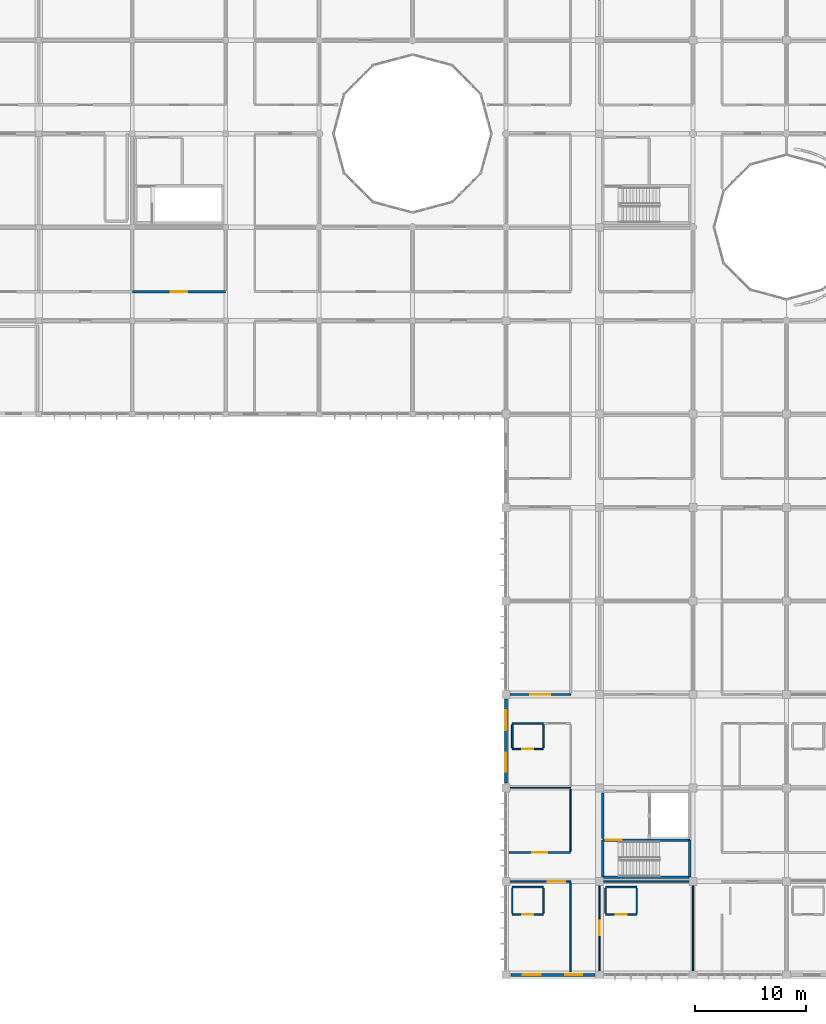
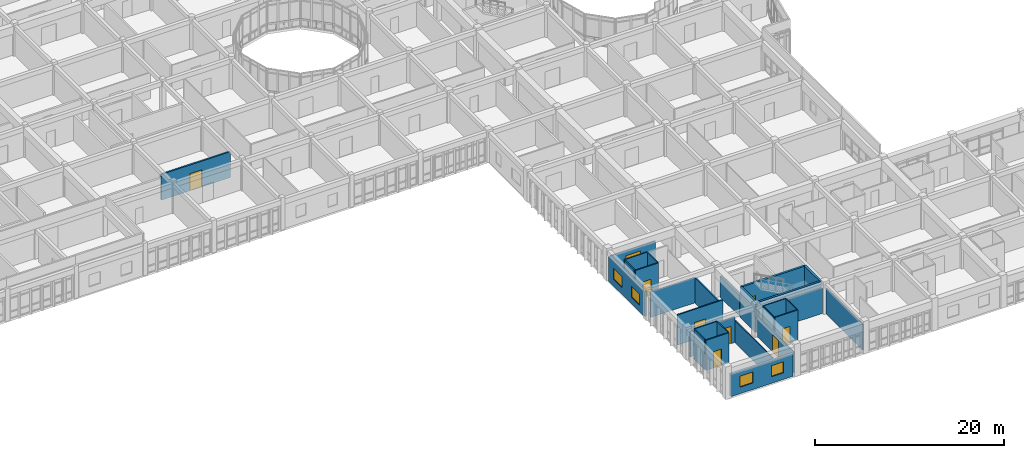
# One storey, part 78 of 119: 29 walls, 9 doors, 4 windows, 13 openings.
"""IFC4 building model written with IfcOpenShell, lengths in metres."""

from ifc_helpers import new_model, si_unit, direction, frame, frame_2d, origin, place, context, subcontext, project, spatial, rectangle, extrude, material, layer, layer_set, type_object, element, fill, save


model = new_model("IFC4")

# Units and contexts
model_context = context("Model", 3, precision=1e-05, world=origin(), true_north=direction((0.0, 1.0)))
body_context = subcontext(model_context, "Body", "Model", "MODEL_VIEW")
ifc_project = project(units=[si_unit("LENGTHUNIT", "METRE"), si_unit("AREAUNIT", "SQUARE_METRE"), si_unit("VOLUMEUNIT", "CUBIC_METRE"), si_unit("PLANEANGLEUNIT", "RADIAN"), si_unit("MASSUNIT", "GRAM", prefix="KILO")], contexts=[model_context])

# Site, building, storey
site_placement = place(None, origin())
site = spatial("IfcSite", under=ifc_project, at=site_placement, CompositionType="ELEMENT")
building_placement = place(site_placement, origin())
building = spatial("IfcBuilding", under=site, at=building_placement, Name="Bramfleet General Hospital", CompositionType="ELEMENT")
storey_placement = place(building_placement, frame((0.0, 0.0, 14.39990234375)))
storey = spatial("IfcBuildingStorey", under=building, at=storey_placement, Name="L03", CompositionType="ELEMENT", Elevation=14.39990234375)

# Wall, openings, windows
ifc_material_1 = material(Name="Precast concrete C40/50", Category="concrete")
ifc_layer_1 = layer(ifc_material_1, 0.280029296875, Name="WT-EW-06")
ifc_layer_set_1 = layer_set([ifc_layer_1], Name="Precast concrete C40/50")
wall_type_1 = type_object("IfcWallType", Name="WT-EW-06", PredefinedType="SOLIDWALL", material=ifc_layer_set_1)
wall_1_placement = place(storey_placement, frame((100.375, 0.0, 0.0), z_axis=(0.0, 0.0, 1.0), x_axis=(-1.0, 0.0, 0.0)))
wall_1 = element("IfcWall", 1, at=wall_1_placement, inside=storey, type_object=wall_type_1, Name="L03 Exterior Wall 270", PredefinedType="SOLIDWALL", context=body_context, shape_type="SweptSolid", body=[
    extrude(rectangle(XDim=7.550048828125, YDim=0.280029296875, at=frame_2d((3.77490234375, 0.0))), origin(), (0.0, 0.0, 1.0), 2.89013671875),
])
opening_1_placement = place(wall_1_placement, frame((1.137451171875, 0.0, 0.85009765625)))
opening_1 = element("IfcOpeningElement", 2, at=opening_1_placement, cuts=wall_1, Name="Opening W-16", PredefinedType="OPENING", context=body_context, shape_type="SweptSolid", body=[
    extrude(rectangle(XDim=1.5, YDim=1.419921875, at=frame_2d((0.75, 0.7099609375))), frame((0.0, 0.14990234375, 0.0), z_axis=(0.0, -1.0, 0.0), x_axis=(1.0, 0.0, 0.0)), (0.0, 0.0, 1.0), 0.300048828125),
])
opening_2_placement = place(wall_1_placement, frame((4.862548828125, 0.0, 0.85009765625)))
opening_2 = element("IfcOpeningElement", 3, at=opening_2_placement, cuts=wall_1, Name="Opening W-17", PredefinedType="OPENING", context=body_context, shape_type="SweptSolid", body=[
    extrude(rectangle(XDim=1.60009765625, YDim=1.419921875, at=frame_2d((0.800048828125, 0.7099609375))), frame((0.0, 0.14990234375, 0.0), z_axis=(0.0, -1.0, 0.0), x_axis=(1.0, 0.0, 0.0)), (0.0, 0.0, 1.0), 0.300048828125),
])
ifc_material_2 = material(Name="Anodised aluminium and low-E triple glazing", Category="aluminium")
window_type_1 = type_object("IfcWindowType", Name="WIN-W-16", PartitioningType="SINGLE_PANEL", PredefinedType="WINDOW", material=ifc_material_2)
window_1_placement = place(opening_1_placement, origin())
window_1 = element("IfcWindow", 4, at=window_1_placement, inside=storey, type_object=window_type_1, Name="L03 Facade Window WIN-L03-270-1", OverallHeight=1.419921875, OverallWidth=1.5, PartitioningType="SINGLE_PANEL", PredefinedType="WINDOW", context=body_context, shape_type="SweptSolid", body=[
    extrude(rectangle(XDim=1.5, YDim=1.419921875, at=frame_2d((0.75, 0.7099609375))), frame((0.0, 0.030029296875, 0.0), z_axis=(0.0, -1.0, 0.0), x_axis=(1.0, 0.0, 0.0)), (0.0, 0.0, 1.0), 0.06005859375),
])
fill(opening_1, window_1)
window_type_2 = type_object("IfcWindowType", Name="WIN-W-17", PartitioningType="SINGLE_PANEL", PredefinedType="WINDOW", material=ifc_material_2)
window_2_placement = place(opening_2_placement, origin())
window_2 = element("IfcWindow", 5, at=window_2_placement, inside=storey, type_object=window_type_2, Name="L03 Facade Window WIN-L03-270-2", OverallHeight=1.419921875, OverallWidth=1.60009765625, PartitioningType="SINGLE_PANEL", PredefinedType="WINDOW", context=body_context, shape_type="SweptSolid", body=[
    extrude(rectangle(XDim=1.60009765625, YDim=1.419921875, at=frame_2d((0.800048828125, 0.7099609375))), frame((0.0, 0.030029296875, 0.0), z_axis=(0.0, -1.0, 0.0), x_axis=(1.0, 0.0, 0.0)), (0.0, 0.0, 1.0), 0.06005859375),
])
fill(opening_2, window_2)

ifc_layer_2 = layer(ifc_material_1, 0.264892578125, Name="WT-EW-07")
ifc_layer_set_2 = layer_set([ifc_layer_2], Name="Precast concrete C40/50")
wall_type_2 = type_object("IfcWallType", Name="WT-EW-07", PredefinedType="SOLIDWALL", material=ifc_layer_set_2)
wall_2_placement = place(storey_placement, frame((92.39990234375, 17.22509765625, 0.0), z_axis=(0.0, 0.0, 1.0), x_axis=(0.0, 1.0, 0.0)))
wall_2 = element("IfcWall", 6, at=wall_2_placement, inside=storey, type_object=wall_type_2, Name="L03 Exterior Wall 271", PredefinedType="SOLIDWALL", context=body_context, shape_type="SweptSolid", body=[
    extrude(rectangle(XDim=7.5498046875, YDim=0.264892578125, at=frame_2d((3.77490234375, 0.0))), origin(), (0.0, 0.0, 1.0), 3.190185546875),
])
opening_3_placement = place(wall_2_placement, frame((1.03759765625, 0.0, 0.85009765625)))
opening_3 = element("IfcOpeningElement", 7, at=opening_3_placement, cuts=wall_2, Name="Opening W-18", PredefinedType="OPENING", context=body_context, shape_type="SweptSolid", body=[
    extrude(rectangle(XDim=1.699951171875, YDim=1.419921875, at=frame_2d((0.85009765625, 0.7099609375))), frame((0.0, 0.142333984375, 0.0), z_axis=(0.0, -1.0, 0.0), x_axis=(1.0, 0.0, 0.0)), (0.0, 0.0, 1.0), 0.284912109375),
])
opening_4_placement = place(wall_2_placement, frame((4.762451171875, 0.0, 0.85009765625)))
opening_4 = element("IfcOpeningElement", 8, at=opening_4_placement, cuts=wall_2, Name="Opening W-19", PredefinedType="OPENING", context=body_context, shape_type="SweptSolid", body=[
    extrude(rectangle(XDim=1.800048828125, YDim=1.419921875, at=frame_2d((0.89990234375, 0.7099609375))), frame((0.0, 0.142333984375, 0.0), z_axis=(0.0, -1.0, 0.0), x_axis=(1.0, 0.0, 0.0)), (0.0, 0.0, 1.0), 0.284912109375),
])
window_type_3 = type_object("IfcWindowType", Name="WIN-W-18", PartitioningType="SINGLE_PANEL", PredefinedType="WINDOW", material=ifc_material_2)
window_3_placement = place(opening_3_placement, origin())
window_3 = element("IfcWindow", 9, at=window_3_placement, inside=storey, type_object=window_type_3, Name="L03 Facade Window WIN-L03-271-1", OverallHeight=1.419921875, OverallWidth=1.699951171875, PartitioningType="SINGLE_PANEL", PredefinedType="WINDOW", context=body_context, shape_type="SweptSolid", body=[
    extrude(rectangle(XDim=1.699951171875, YDim=1.419921875, at=frame_2d((0.85009765625, 0.7099609375))), frame((0.0, 0.030029296875, 0.0), z_axis=(0.0, -1.0, 0.0), x_axis=(1.0, 0.0, 0.0)), (0.0, 0.0, 1.0), 0.06005859375),
])
fill(opening_3, window_3)
window_type_4 = type_object("IfcWindowType", Name="WIN-W-19", PartitioningType="SINGLE_PANEL", PredefinedType="WINDOW", material=ifc_material_2)
window_4_placement = place(opening_4_placement, origin())
window_4 = element("IfcWindow", 10, at=window_4_placement, inside=storey, type_object=window_type_4, Name="L03 Facade Window WIN-L03-271-2", OverallHeight=1.419921875, OverallWidth=1.800048828125, PartitioningType="SINGLE_PANEL", PredefinedType="WINDOW", context=body_context, shape_type="SweptSolid", body=[
    extrude(rectangle(XDim=1.800048828125, YDim=1.419921875, at=frame_2d((0.89990234375, 0.7099609375))), frame((0.0, 0.030029296875, 0.0), z_axis=(0.0, -1.0, 0.0), x_axis=(1.0, 0.0, 0.0)), (0.0, 0.0, 1.0), 0.06005859375),
])
fill(opening_4, window_4)

# Wall
ifc_material_3 = material(Name="Concrete C35/45", Category="concrete")
ifc_layer_3 = layer(ifc_material_3, 0.205078125, Name="WT-IW-02")
ifc_layer_set_3 = layer_set([ifc_layer_3], Name="Concrete C35/45")
wall_type_3 = type_object("IfcWallType", Name="WT-IW-02", PredefinedType="PARTITIONING", material=ifc_layer_set_3)
wall_3_placement = place(storey_placement, frame((101.10009765625, 12.239990234375, 0.0), z_axis=(0.0, 0.0, 1.0), x_axis=(0.0, 1.0, 0.0)))
element("IfcWall", 11, at=wall_3_placement, inside=storey, type_object=wall_type_3, Name="L03 C3 Lobby West Compartment Wall", PredefinedType="PARTITIONING", context=body_context, shape_type="SweptSolid", body=[
    extrude(rectangle(XDim=4.1201171875, YDim=0.205078125, at=frame_2d((2.06005859375, 0.0))), origin(), (0.0, 0.0, 1.0), 2.690185546875),
])

# Wall, opening, door
ifc_layer_4 = layer(ifc_material_3, 0.18994140625, Name="WT-IW-03")
ifc_layer_set_4 = layer_set([ifc_layer_4], Name="Concrete C35/45")
wall_type_4 = type_object("IfcWallType", Name="WT-IW-03", PredefinedType="PARTITIONING", material=ifc_layer_set_4)
wall_4_placement = place(storey_placement, frame((58.800048828125, 61.39990234375, 0.0), z_axis=(0.0, 0.0, 1.0), x_axis=(1.0, 0.0, 0.0)))
wall_4 = element("IfcWall", 12, at=wall_4_placement, inside=storey, type_object=wall_type_4, Name="L03 Interior Partition IW-L03-2559", PredefinedType="PARTITIONING", context=body_context, shape_type="SweptSolid", body=[
    extrude(rectangle(XDim=8.39990234375, YDim=0.18994140625, at=frame_2d((4.199951171875, 0.0))), origin(), (0.0, 0.0, 1.0), 3.330078125),
])
opening_5_placement = place(wall_4_placement, frame((3.47509765625, 0.0, 0.0)))
opening_5 = element("IfcOpeningElement", 13, at=opening_5_placement, cuts=wall_4, Name="Opening D1091", PredefinedType="OPENING", context=body_context, shape_type="SweptSolid", body=[
    extrude(rectangle(XDim=1.449951171875, YDim=2.199951171875, at=frame_2d((0.72509765625, 1.10009765625))), frame((0.0, 0.10498046875, 0.0), z_axis=(0.0, -1.0, 0.0), x_axis=(1.0, 0.0, 0.0)), (0.0, 0.0, 1.0), 0.2099609375),
])
ifc_material_4 = material(Name="Stainless steel and acoustic timber leaf", Category="steel")
door_type_1 = type_object("IfcDoorType", Name="DR-D-03", OperationType="NOTDEFINED", PredefinedType="DOOR", material=ifc_material_4)
door_1_placement = place(opening_5_placement, origin())
door_1 = element("IfcDoor", 14, at=door_1_placement, inside=storey, type_object=door_type_1, Name="Maternity Delivery Suite and Clinical Lab L03-0707 Door D1091", OperationType="SINGLE_SWING_RIGHT", OverallHeight=2.199951171875, OverallWidth=1.449951171875, PredefinedType="DOOR", context=body_context, shape_type="SweptSolid", body=[
    extrude(rectangle(XDim=1.449951171875, YDim=2.199951171875, at=frame_2d((0.72509765625, 1.10009765625))), frame((0.0, 0.02490234375, 0.0), z_axis=(0.0, -1.0, 0.0), x_axis=(1.0, 0.0, 0.0)), (0.0, 0.0, 1.0), 0.050048828125),
])
fill(opening_5, door_1)

ifc_material_5 = material(Name="Gypsum plasterboard on acoustic steel studs", Category="steel")
ifc_layer_5 = layer(ifc_material_5, 0.169921875, Name="WT-IW-05")
ifc_layer_set_5 = layer_set([ifc_layer_5], Name="Gypsum plasterboard on acoustic steel studs")
wall_type_5 = type_object("IfcWallType", Name="WT-IW-05", PredefinedType="PARTITIONING", material=ifc_layer_set_5)
wall_5_placement = place(storey_placement, frame((92.679931640625, 11.0, 0.0), z_axis=(0.0, 0.0, 1.0), x_axis=(1.0, 0.0, 0.0)))
wall_5 = element("IfcWall", 15, at=wall_5_placement, inside=storey, type_object=wall_type_5, Name="L03 Interior Partition IW-L03-2477", PredefinedType="PARTITIONING", context=body_context, shape_type="SweptSolid", body=[
    extrude(rectangle(XDim=5.52001953125, YDim=0.169921875, at=frame_2d((2.760009765625, 0.0))), origin(), (0.0, 0.0, 1.0), 3.89013671875),
])
opening_6_placement = place(wall_5_placement, frame((2.0849609375, 0.0, 0.0)))
opening_6 = element("IfcOpeningElement", 16, at=opening_6_placement, cuts=wall_5, Name="Opening D1122", PredefinedType="OPENING", context=body_context, shape_type="SweptSolid", body=[
    extrude(rectangle(XDim=1.35009765625, YDim=2.199951171875, at=frame_2d((0.675048828125, 1.10009765625))), frame((0.0, 0.094970703125, 0.0), z_axis=(0.0, -1.0, 0.0), x_axis=(1.0, 0.0, 0.0)), (0.0, 0.0, 1.0), 0.18994140625),
])
door_type_2 = type_object("IfcDoorType", Name="DR-D-02", OperationType="NOTDEFINED", PredefinedType="DOOR", material=ifc_material_4)
door_2_placement = place(opening_6_placement, origin())
door_2 = element("IfcDoor", 17, at=door_2_placement, inside=storey, type_object=door_type_2, Name="Paediatric Nurse Station and Play Lounge L03-1101 Door D1122", OperationType="SINGLE_SWING_LEFT", OverallHeight=2.199951171875, OverallWidth=1.35009765625, PredefinedType="DOOR", context=body_context, shape_type="SweptSolid", body=[
    extrude(rectangle(XDim=1.35009765625, YDim=2.199951171875, at=frame_2d((0.675048828125, 1.10009765625))), frame((0.0, 0.02490234375, 0.0), z_axis=(0.0, -1.0, 0.0), x_axis=(1.0, 0.0, 0.0)), (0.0, 0.0, 1.0), 0.050048828125),
])
fill(opening_6, door_2)

ifc_layer_6 = layer(ifc_material_5, 0.14990234375, Name="WT-IW-07")
ifc_layer_set_6 = layer_set([ifc_layer_6], Name="Gypsum plasterboard on acoustic steel studs")
wall_type_6 = type_object("IfcWallType", Name="WT-IW-07", PredefinedType="PARTITIONING", material=ifc_layer_set_6)
wall_6_placement = place(storey_placement, frame((92.7451171875, 25.199951171875, 0.0), z_axis=(0.0, 0.0, 1.0), x_axis=(1.0, 0.0, 0.0)))
wall_6 = element("IfcWall", 18, at=wall_6_placement, inside=storey, type_object=wall_type_6, Name="L03 Interior Partition IW-L03-2515", PredefinedType="PARTITIONING", context=body_context, shape_type="SweptSolid", body=[
    extrude(rectangle(XDim=5.454833984375, YDim=0.14990234375, at=frame_2d((2.7275390625, 0.0))), origin(), (0.0, 0.0, 1.0), 2.89013671875),
])
opening_7_placement = place(wall_6_placement, frame((1.827392578125, 0.0, 0.0)))
opening_7 = element("IfcOpeningElement", 19, at=opening_7_placement, cuts=wall_6, Name="Opening D1125", PredefinedType="OPENING", context=body_context, shape_type="SweptSolid", body=[
    extrude(rectangle(XDim=1.800048828125, YDim=2.25, at=frame_2d((0.89990234375, 1.125))), frame((0.0, 0.0849609375, 0.0), z_axis=(0.0, -1.0, 0.0), x_axis=(1.0, 0.0, 0.0)), (0.0, 0.0, 1.0), 0.169921875),
])
door_type_3 = type_object("IfcDoorType", Name="DR-D-05", OperationType="NOTDEFINED", PredefinedType="DOOR", material=ifc_material_4)
door_3_placement = place(opening_7_placement, origin())
door_3 = element("IfcDoor", 20, at=door_3_placement, inside=storey, type_object=door_type_3, Name="Maternity Delivery Suite and Clinical Lab L03-1103 Door D1125", OperationType="DOUBLE_SWING_RIGHT", OverallHeight=2.25, OverallWidth=1.800048828125, PredefinedType="DOOR", context=body_context, shape_type="SweptSolid", body=[
    extrude(rectangle(XDim=1.800048828125, YDim=2.25, at=frame_2d((0.89990234375, 1.125))), frame((0.0, 0.02490234375, 0.0), z_axis=(0.0, -1.0, 0.0), x_axis=(1.0, 0.0, 0.0)), (0.0, 0.0, 1.0), 0.050048828125),
])
fill(opening_7, door_3)

# Wall
wall_7_placement = place(storey_placement, frame((92.949951171875, 20.4150390625, 0.0), z_axis=(0.0, 0.0, 1.0), x_axis=(0.0, 1.0, 0.0)))
element("IfcWall", 21, at=wall_7_placement, inside=storey, type_object=wall_type_6, Name="L03 Interior Partition IW-L03-2923", PredefinedType="PARTITIONING", context=body_context, shape_type="SweptSolid", body=[
    extrude(rectangle(XDim=2.070068359375, YDim=0.14990234375, at=frame_2d((1.03515625, 0.0))), origin(), (0.0, 0.0, 1.0), 3.89013671875),
])

# Wall, opening, door
ifc_layer_7 = layer(ifc_material_5, 0.139892578125, Name="WT-IW-08")
ifc_layer_set_7 = layer_set([ifc_layer_7], Name="Gypsum plasterboard on acoustic steel studs")
wall_type_7 = type_object("IfcWallType", Name="WT-IW-08", PredefinedType="PARTITIONING", material=ifc_layer_set_7)
wall_8_placement = place(storey_placement, frame((92.7451171875, 8.39990234375, 0.0), z_axis=(0.0, 0.0, 1.0), x_axis=(1.0, 0.0, 0.0)))
wall_8 = element("IfcWall", 22, at=wall_8_placement, inside=storey, type_object=wall_type_7, Name="L03 Interior Partition IW-L03-2468", PredefinedType="PARTITIONING", context=body_context, shape_type="SweptSolid", body=[
    extrude(rectangle(XDim=5.454833984375, YDim=0.139892578125, at=frame_2d((2.7275390625, 0.0))), origin(), (0.0, 0.0, 1.0), 3.2900390625),
])
opening_8_placement = place(wall_8_placement, frame((3.397705078125, 0.0, 0.0)))
opening_8 = element("IfcOpeningElement", 23, at=opening_8_placement, cuts=wall_8, Name="Opening D1120", PredefinedType="OPENING", context=body_context, shape_type="SweptSolid", body=[
    extrude(rectangle(XDim=1.580078125, YDim=2.219970703125, at=frame_2d((0.7900390625, 1.10986328125))), frame((0.0, 0.079833984375, 0.0), z_axis=(0.0, -1.0, 0.0), x_axis=(1.0, 0.0, 0.0)), (0.0, 0.0, 1.0), 0.159912109375),
])
door_type_4 = type_object("IfcDoorType", Name="DR-D-32", OperationType="NOTDEFINED", PredefinedType="DOOR", material=ifc_material_4)
door_4_placement = place(opening_8_placement, origin())
door_4 = element("IfcDoor", 24, at=door_4_placement, inside=storey, type_object=door_type_4, Name="Paediatric Ward Bedroom L03-1100 Door D1120", OperationType="DOUBLE_SWING_LEFT", OverallHeight=2.219970703125, OverallWidth=1.580078125, PredefinedType="DOOR", context=body_context, shape_type="SweptSolid", body=[
    extrude(rectangle(XDim=1.580078125, YDim=2.219970703125, at=frame_2d((0.7900390625, 1.10986328125))), frame((0.0, 0.02490234375, 0.0), z_axis=(0.0, -1.0, 0.0), x_axis=(1.0, 0.0, 0.0)), (0.0, 0.0, 1.0), 0.050048828125),
])
fill(opening_8, door_4)

# Walls
ifc_layer_8 = layer(ifc_material_5, 0.1298828125, Name="WT-IW-09")
ifc_layer_set_8 = layer_set([ifc_layer_8], Name="Gypsum plasterboard on acoustic steel studs")
wall_type_8 = type_object("IfcWallType", Name="WT-IW-09", PredefinedType="PARTITIONING", material=ifc_layer_set_8)
wall_9_placement = place(storey_placement, frame((101.14501953125, 8.39990234375, 0.0), z_axis=(0.0, 0.0, 1.0), x_axis=(1.0, 0.0, 0.0)))
element("IfcWall", 25, at=wall_9_placement, inside=storey, type_object=wall_type_8, Name="L03 Interior Partition IW-L03-2469", PredefinedType="PARTITIONING", context=body_context, shape_type="SweptSolid", body=[
    extrude(rectangle(XDim=7.7099609375, YDim=0.1298828125, at=frame_2d((3.85498046875, 0.0))), origin(), (0.0, 0.0, 1.0), 3.2900390625),
])
wall_10_placement = place(storey_placement, frame((95.75, 20.4150390625, 0.0), z_axis=(0.0, 0.0, 1.0), x_axis=(0.0, 1.0, 0.0)))
element("IfcWall", 26, at=wall_10_placement, inside=storey, type_object=wall_type_8, Name="L03 Interior Partition IW-L03-2925", PredefinedType="PARTITIONING", context=body_context, shape_type="SweptSolid", body=[
    extrude(rectangle(XDim=2.070068359375, YDim=0.1298828125, at=frame_2d((1.03515625, 0.0))), origin(), (0.0, 0.0, 1.0), 3.89013671875),
])

# Wall, opening, door
ifc_layer_9 = layer(ifc_material_5, 0.1201171875, Name="WT-IW-10")
ifc_layer_set_9 = layer_set([ifc_layer_9], Name="Gypsum plasterboard on acoustic steel studs")
wall_type_9 = type_object("IfcWallType", Name="WT-IW-10", PredefinedType="PARTITIONING", material=ifc_layer_set_9)
wall_11_placement = place(storey_placement, frame((92.949951171875, 5.429931640625, 0.0), z_axis=(0.0, 0.0, 1.0), x_axis=(1.0, 0.0, 0.0)))
wall_11 = element("IfcWall", 27, at=wall_11_placement, inside=storey, type_object=wall_type_9, Name="L03 Interior Partition IW-L03-2454", PredefinedType="PARTITIONING", context=body_context, shape_type="SweptSolid", body=[
    extrude(rectangle(XDim=2.800048828125, YDim=0.1201171875, at=frame_2d((1.39990234375, 0.0))), origin(), (0.0, 0.0, 1.0), 3.89013671875),
])
opening_9_placement = place(wall_11_placement, frame((0.925048828125, 0.0, 0.0)))
opening_9 = element("IfcOpeningElement", 28, at=opening_9_placement, cuts=wall_11, Name="Opening D1121", PredefinedType="OPENING", context=body_context, shape_type="SweptSolid", body=[
    extrude(rectangle(XDim=0.949951171875, YDim=2.10009765625, at=frame_2d((0.47509765625, 1.050048828125))), frame((0.0, 0.070068359375, 0.0), z_axis=(0.0, -1.0, 0.0), x_axis=(1.0, 0.0, 0.0)), (0.0, 0.0, 1.0), 0.14013671875),
])
door_type_5 = type_object("IfcDoorType", Name="DR-D-10", OperationType="NOTDEFINED", PredefinedType="DOOR", material=ifc_material_4)
door_5_placement = place(opening_9_placement, origin())
door_5 = element("IfcDoor", 29, at=door_5_placement, inside=storey, type_object=door_type_5, Name="Paediatric En-Suite Bathroom L03-1100 Door D1121", OperationType="SINGLE_SWING_LEFT", OverallHeight=2.10009765625, OverallWidth=0.949951171875, PredefinedType="DOOR", context=body_context, shape_type="SweptSolid", body=[
    extrude(rectangle(XDim=0.949951171875, YDim=2.10009765625, at=frame_2d((0.47509765625, 1.050048828125))), frame((0.0, 0.02490234375, 0.0), z_axis=(0.0, -1.0, 0.0), x_axis=(1.0, 0.0, 0.0)), (0.0, 0.0, 1.0), 0.050048828125),
])
fill(opening_9, door_5)

wall_12_placement = place(storey_placement, frame((101.35009765625, 5.429931640625, 0.0), z_axis=(0.0, 0.0, 1.0), x_axis=(1.0, 0.0, 0.0)))
wall_12 = element("IfcWall", 30, at=wall_12_placement, inside=storey, type_object=wall_type_9, Name="L03 Interior Partition IW-L03-2455", PredefinedType="PARTITIONING", context=body_context, shape_type="SweptSolid", body=[
    extrude(rectangle(XDim=2.7998046875, YDim=0.1201171875, at=frame_2d((1.39990234375, 0.0))), origin(), (0.0, 0.0, 1.0), 3.89013671875),
])
opening_10_placement = place(wall_12_placement, frame((0.925048828125, 0.0, 0.0)))
opening_10 = element("IfcOpeningElement", 31, at=opening_10_placement, cuts=wall_12, Name="Opening D1136", PredefinedType="OPENING", context=body_context, shape_type="SweptSolid", body=[
    extrude(rectangle(XDim=0.949951171875, YDim=2.10009765625, at=frame_2d((0.47509765625, 1.050048828125))), frame((0.0, 0.070068359375, 0.0), z_axis=(0.0, -1.0, 0.0), x_axis=(1.0, 0.0, 0.0)), (0.0, 0.0, 1.0), 0.14013671875),
])
door_6_placement = place(opening_10_placement, origin())
door_6 = element("IfcDoor", 32, at=door_6_placement, inside=storey, type_object=door_type_5, Name="Paediatric En-Suite Bathroom L03-1200 Door D1136", OperationType="SINGLE_SWING_LEFT", OverallHeight=2.10009765625, OverallWidth=0.949951171875, PredefinedType="DOOR", context=body_context, shape_type="SweptSolid", body=[
    extrude(rectangle(XDim=0.949951171875, YDim=2.10009765625, at=frame_2d((0.47509765625, 1.050048828125))), frame((0.0, 0.02490234375, 0.0), z_axis=(0.0, -1.0, 0.0), x_axis=(1.0, 0.0, 0.0)), (0.0, 0.0, 1.0), 0.050048828125),
])
fill(opening_10, door_6)

# Walls
wall_13_placement = place(storey_placement, frame((92.949951171875, 7.8798828125, 0.0), z_axis=(0.0, 0.0, 1.0), x_axis=(1.0, 0.0, 0.0)))
element("IfcWall", 33, at=wall_13_placement, inside=storey, type_object=wall_type_9, Name="L03 Interior Partition IW-L03-2461", PredefinedType="PARTITIONING", context=body_context, shape_type="SweptSolid", body=[
    extrude(rectangle(XDim=2.800048828125, YDim=0.1201171875, at=frame_2d((1.39990234375, 0.0))), origin(), (0.0, 0.0, 1.0), 3.89013671875),
])
wall_14_placement = place(storey_placement, frame((101.35009765625, 7.8798828125, 0.0), z_axis=(0.0, 0.0, 1.0), x_axis=(1.0, 0.0, 0.0)))
element("IfcWall", 34, at=wall_14_placement, inside=storey, type_object=wall_type_9, Name="L03 Interior Partition IW-L03-2462", PredefinedType="PARTITIONING", context=body_context, shape_type="SweptSolid", body=[
    extrude(rectangle(XDim=2.7998046875, YDim=0.1201171875, at=frame_2d((1.39990234375, 0.0))), origin(), (0.0, 0.0, 1.0), 3.89013671875),
])

# Wall, opening, door
wall_15_placement = place(storey_placement, frame((92.949951171875, 20.300048828125, 0.0), z_axis=(0.0, 0.0, 1.0), x_axis=(1.0, 0.0, 0.0)))
wall_15 = element("IfcWall", 35, at=wall_15_placement, inside=storey, type_object=wall_type_9, Name="L03 Interior Partition IW-L03-2494", PredefinedType="PARTITIONING", context=body_context, shape_type="SweptSolid", body=[
    extrude(rectangle(XDim=2.800048828125, YDim=0.1201171875, at=frame_2d((1.39990234375, 0.0))), origin(), (0.0, 0.0, 1.0), 3.89013671875),
])
opening_11_placement = place(wall_15_placement, frame((0.925048828125, 0.0, 0.0)))
opening_11 = element("IfcOpeningElement", 36, at=opening_11_placement, cuts=wall_15, Name="Opening D1124", PredefinedType="OPENING", context=body_context, shape_type="SweptSolid", body=[
    extrude(rectangle(XDim=0.949951171875, YDim=2.10009765625, at=frame_2d((0.47509765625, 1.050048828125))), frame((0.0, 0.070068359375, 0.0), z_axis=(0.0, -1.0, 0.0), x_axis=(1.0, 0.0, 0.0)), (0.0, 0.0, 1.0), 0.14013671875),
])
door_7_placement = place(opening_11_placement, origin())
door_7 = element("IfcDoor", 37, at=door_7_placement, inside=storey, type_object=door_type_5, Name="Paediatric En-Suite Bathroom L03-1102 Door D1124", OperationType="SINGLE_SWING_LEFT", OverallHeight=2.10009765625, OverallWidth=0.949951171875, PredefinedType="DOOR", context=body_context, shape_type="SweptSolid", body=[
    extrude(rectangle(XDim=0.949951171875, YDim=2.10009765625, at=frame_2d((0.47509765625, 1.050048828125))), frame((0.0, 0.02490234375, 0.0), z_axis=(0.0, -1.0, 0.0), x_axis=(1.0, 0.0, 0.0)), (0.0, 0.0, 1.0), 0.050048828125),
])
fill(opening_11, door_7)

# Walls
wall_16_placement = place(storey_placement, frame((92.949951171875, 22.60009765625, 0.0), z_axis=(0.0, 0.0, 1.0), x_axis=(1.0, 0.0, 0.0)))
element("IfcWall", 38, at=wall_16_placement, inside=storey, type_object=wall_type_9, Name="L03 Interior Partition IW-L03-2500", PredefinedType="PARTITIONING", context=body_context, shape_type="SweptSolid", body=[
    extrude(rectangle(XDim=2.800048828125, YDim=0.1201171875, at=frame_2d((1.39990234375, 0.0))), origin(), (0.0, 0.0, 1.0), 3.89013671875),
])
for number, where, z_axis, x_axis, name in (
    (39, (92.949951171875, 5.544921875, 0.0), (0.0, 0.0, 1.0), (0.0, 1.0, 0.0), "L03 Interior Partition IW-L03-2922"),
    (40, (95.75, 5.544921875, 0.0), (0.0, 0.0, 1.0), (0.0, 1.0, 0.0), "L03 Interior Partition IW-L03-2924"),
):
    element("IfcWall", number, at=place(storey_placement, frame(where, z_axis=z_axis, x_axis=x_axis)), inside=storey, type_object=wall_type_9, Name=name, PredefinedType="PARTITIONING", context=body_context, shape_type="SweptSolid", body=[
        extrude(rectangle(XDim=2.219970703125, YDim=0.1201171875, at=frame_2d((1.10986328125, 0.0))), origin(), (0.0, 0.0, 1.0), 3.89013671875),
    ])
wall_17_placement = place(storey_placement, frame((98.199951171875, 0.280029296875, 0.0), z_axis=(0.0, 0.0, 1.0), x_axis=(0.0, 1.0, 0.0)))
element("IfcWall", 41, at=wall_17_placement, inside=storey, type_object=wall_type_9, Name="L03 Interior Partition IW-L03-2926", PredefinedType="PARTITIONING", context=body_context, shape_type="SweptSolid", body=[
    extrude(rectangle(XDim=8.0048828125, YDim=0.1201171875, at=frame_2d((4.00244140625, 0.0))), origin(), (0.0, 0.0, 1.0), 2.89013671875),
])
for number, where, z_axis, x_axis, name in (
    (42, (101.35009765625, 5.544921875, 0.0), (0.0, 0.0, 1.0), (0.0, 1.0, 0.0), "L03 Interior Partition IW-L03-2949"),
    (43, (104.14990234375, 5.544921875, 0.0), (0.0, 0.0, 1.0), (0.0, 1.0, 0.0), "L03 Interior Partition IW-L03-2950"),
):
    element("IfcWall", number, at=place(storey_placement, frame(where, z_axis=z_axis, x_axis=x_axis)), inside=storey, type_object=wall_type_9, Name=name, PredefinedType="PARTITIONING", context=body_context, shape_type="SweptSolid", body=[
        extrude(rectangle(XDim=2.219970703125, YDim=0.1201171875, at=frame_2d((1.10986328125, 0.0))), origin(), (0.0, 0.0, 1.0), 3.89013671875),
    ])
ifc_layer_10 = layer(ifc_material_5, 0.112060546875, Name="WT-IW-11")
ifc_layer_set_10 = layer_set([ifc_layer_10], Name="Gypsum plasterboard on acoustic steel studs")
wall_type_10 = type_object("IfcWallType", Name="WT-IW-11", PredefinedType="PARTITIONING", material=ifc_layer_set_10)
wall_18_placement = place(storey_placement, frame((98.199951171875, 11.114990234375, 0.0), z_axis=(0.0, 0.0, 1.0), x_axis=(0.0, 1.0, 0.0)))
element("IfcWall", 44, at=wall_18_placement, inside=storey, type_object=wall_type_10, Name="L03 Interior Partition IW-L03-2927", PredefinedType="PARTITIONING", context=body_context, shape_type="SweptSolid", body=[
    extrude(rectangle(XDim=5.570068359375, YDim=0.112060546875, at=frame_2d((2.78515625, 0.0))), origin(), (0.0, 0.0, 1.0), 3.2900390625),
])
wall_19_placement = place(storey_placement, frame((109.199951171875, 0.344970703125, 0.0), z_axis=(0.0, 0.0, 1.0), x_axis=(0.0, 1.0, 0.0)))
element("IfcWall", 45, at=wall_19_placement, inside=storey, type_object=wall_type_10, Name="L03 Interior Partition IW-L03-2951", PredefinedType="PARTITIONING", context=body_context, shape_type="SweptSolid", body=[
    extrude(rectangle(XDim=7.7099609375, YDim=0.112060546875, at=frame_2d((3.85498046875, 0.0))), origin(), (0.0, 0.0, 1.0), 3.340087890625),
])
ifc_layer_11 = layer(ifc_material_5, 0.10009765625, Name="WT-IW-12")
ifc_layer_set_11 = layer_set([ifc_layer_11], Name="Gypsum plasterboard on acoustic steel studs")
wall_type_11 = type_object("IfcWallType", Name="WT-IW-12", PredefinedType="PARTITIONING", material=ifc_layer_set_11)
wall_20_placement = place(storey_placement, frame((92.7451171875, 16.800048828125, 0.0), z_axis=(0.0, 0.0, 1.0), x_axis=(1.0, 0.0, 0.0)))
element("IfcWall", 46, at=wall_20_placement, inside=storey, type_object=wall_type_11, Name="L03 Interior Partition IW-L03-2484", PredefinedType="PARTITIONING", context=body_context, shape_type="SweptSolid", body=[
    extrude(rectangle(XDim=5.454833984375, YDim=0.10009765625, at=frame_2d((2.7275390625, 0.0))), origin(), (0.0, 0.0, 1.0), 3.2900390625),
])

# Wall, opening, door
wall_21_placement = place(storey_placement, frame((100.800048828125, 0.344970703125, 0.0), z_axis=(0.0, 0.0, 1.0), x_axis=(0.0, 1.0, 0.0)))
wall_21 = element("IfcWall", 47, at=wall_21_placement, inside=storey, type_object=wall_type_11, Name="L03 Interior Partition IW-L03-2940", PredefinedType="PARTITIONING", context=body_context, shape_type="SweptSolid", body=[
    extrude(rectangle(XDim=7.7099609375, YDim=0.10009765625, at=frame_2d((3.85498046875, 0.0))), origin(), (0.0, 0.0, 1.0), 2.690185546875),
])
opening_12_placement = place(wall_21_placement, frame((3.205078125, 0.0, 0.0)))
opening_12 = element("IfcOpeningElement", 48, at=opening_12_placement, cuts=wall_21, Name="Opening D1135", PredefinedType="OPENING", context=body_context, shape_type="SweptSolid", body=[
    extrude(rectangle(XDim=1.300048828125, YDim=2.199951171875, at=frame_2d((0.64990234375, 1.10009765625))), frame((0.0, 0.06005859375, 0.0), z_axis=(0.0, -1.0, 0.0), x_axis=(1.0, 0.0, 0.0)), (0.0, 0.0, 1.0), 0.1201171875),
])
door_type_6 = type_object("IfcDoorType", Name="DR-D-15", OperationType="NOTDEFINED", PredefinedType="DOOR", material=ifc_material_4)
door_8_placement = place(opening_12_placement, origin())
door_8 = element("IfcDoor", 49, at=door_8_placement, inside=storey, type_object=door_type_6, Name="Paediatric Ward Bedroom L03-1200 Door D1135", OperationType="SINGLE_SWING_RIGHT", OverallHeight=2.199951171875, OverallWidth=1.300048828125, PredefinedType="DOOR", context=body_context, shape_type="SweptSolid", body=[
    extrude(rectangle(XDim=1.300048828125, YDim=2.199951171875, at=frame_2d((0.64990234375, 1.10009765625))), frame((0.0, 0.02490234375, 0.0), z_axis=(0.0, -1.0, 0.0), x_axis=(1.0, 0.0, 0.0)), (0.0, 0.0, 1.0), 0.050048828125),
])
fill(opening_12, door_8)

# Walls
ifc_material_6 = material(Name="Concrete C40/50", Category="concrete")
ifc_layer_12 = layer(ifc_material_6, 0.239990234375, Name="WT-SW-240")
ifc_layer_set_12 = layer_set([ifc_layer_12], Name="Concrete C40/50")
wall_type_12 = type_object("IfcWallType", Name="WT-SW-240", PredefinedType="SHEAR", material=ifc_layer_set_12)
wall_22_placement = place(storey_placement, frame((101.10009765625, 8.780029296875, 0.0), z_axis=(0.0, 0.0, 1.0), x_axis=(1.0, 0.0, 0.0)))
element("IfcWall", 50, at=wall_22_placement, inside=storey, type_object=wall_type_12, Name="L03 C3 South Stair Shear Wall", PredefinedType="SHEAR", context=body_context, shape_type="SweptSolid", body=[
    extrude(rectangle(XDim=7.81982421875, YDim=0.239990234375, at=frame_2d((3.909912109375, 0.0))), origin(), (0.0, 0.0, 1.0), 3.900146484375),
])
for number, where, z_axis, x_axis, name in (
    (51, (101.10009765625, 8.780029296875, 0.0), (0.0, 0.0, 1.0), (0.0, 1.0, 0.0), "L03 C3 West Stair Shear Wall"),
    (52, (108.919921875, 8.780029296875, 0.0), (0.0, 0.0, 1.0), (0.0, 1.0, 0.0), "L03 C3 East Stair Shear Wall"),
):
    element("IfcWall", number, at=place(storey_placement, frame(where, z_axis=z_axis, x_axis=x_axis)), inside=storey, type_object=wall_type_12, Name=name, PredefinedType="SHEAR", context=body_context, shape_type="SweptSolid", body=[
        extrude(rectangle(XDim=3.320068359375, YDim=0.239990234375, at=frame_2d((1.66015625, 0.0))), origin(), (0.0, 0.0, 1.0), 3.900146484375),
    ])

# Wall, opening, door
wall_23_placement = place(storey_placement, frame((101.10009765625, 12.10009765625, 0.0), z_axis=(0.0, 0.0, 1.0), x_axis=(1.0, 0.0, 0.0)))
wall_23 = element("IfcWall", 53, at=wall_23_placement, inside=storey, type_object=wall_type_12, Name="L03 C3 Stair-Lobby Shear Wall", PredefinedType="SHEAR", context=body_context, shape_type="SweptSolid", body=[
    extrude(rectangle(XDim=7.81982421875, YDim=0.239990234375, at=frame_2d((3.909912109375, 0.0))), origin(), (0.0, 0.0, 1.0), 3.900146484375),
])
opening_13_placement = place(wall_23_placement, frame((0.25, 0.0, 0.0)))
opening_13 = element("IfcOpeningElement", 54, at=opening_13_placement, cuts=wall_23, Name="Opening D0027", PredefinedType="OPENING", context=body_context, shape_type="SweptSolid", body=[
    extrude(rectangle(XDim=1.449951171875, YDim=2.199951171875, at=frame_2d((0.72509765625, 1.10009765625))), frame((0.0, 0.1298828125, 0.0), z_axis=(0.0, -1.0, 0.0), x_axis=(1.0, 0.0, 0.0)), (0.0, 0.0, 1.0), 0.260009765625),
])
door_9_placement = place(opening_13_placement, origin())
door_9 = element("IfcDoor", 55, at=door_9_placement, inside=storey, type_object=door_type_1, Name="L03 C3 Escape Stair Fire Door D0027", OperationType="SINGLE_SWING_RIGHT", OverallHeight=2.199951171875, OverallWidth=1.449951171875, PredefinedType="DOOR", context=body_context, shape_type="SweptSolid", body=[
    extrude(rectangle(XDim=1.449951171875, YDim=2.199951171875, at=frame_2d((0.72509765625, 1.10009765625))), frame((0.0, 0.02490234375, 0.0), z_axis=(0.0, -1.0, 0.0), x_axis=(1.0, 0.0, 0.0)), (0.0, 0.0, 1.0), 0.050048828125),
])
fill(opening_13, door_9)

save(model, "model.ifc")
